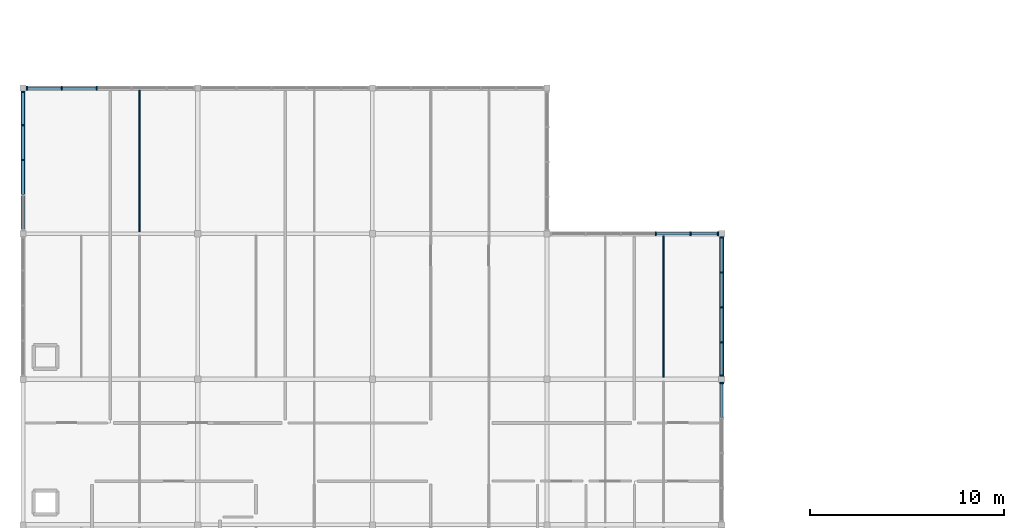
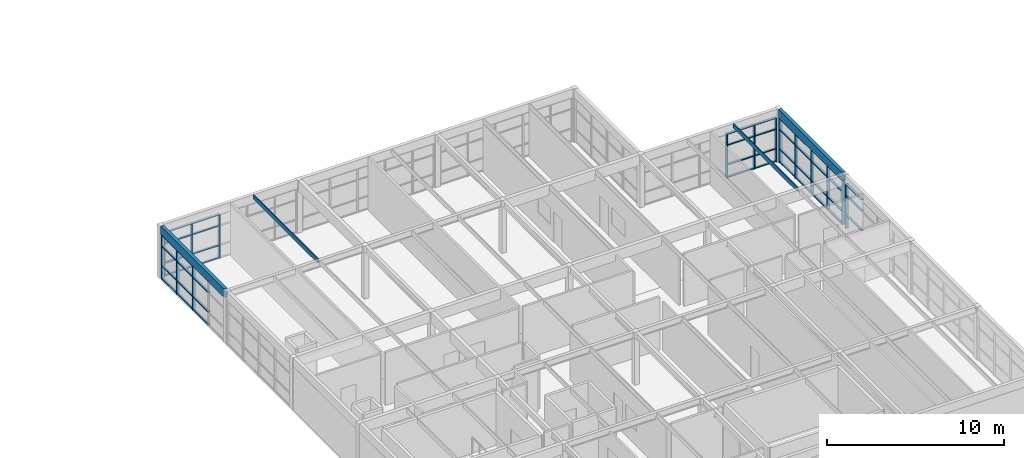
# One storey, part 6 of 24: 62 members, 4 beams, 5 elements without a shape of their own.
"""IFC4 building model written with IfcOpenShell, lengths in metres."""

from ifc_helpers import new_model, si_unit, direction, frame, origin, origin_2d, place, context, subcontext, project, spatial, rectangle, extrude, material, layer, layer_set, material_profile, profile_set, type_object, element, aggregate, save


model = new_model("IFC4")

# Units and contexts
model_context = context("Model", 3, precision=1e-05, world=origin(), true_north=direction((0.0, 1.0)))
body_context = subcontext(model_context, "Body", "Model", "MODEL_VIEW")
ifc_project = project(units=[si_unit("LENGTHUNIT", "METRE"), si_unit("AREAUNIT", "SQUARE_METRE"), si_unit("VOLUMEUNIT", "CUBIC_METRE"), si_unit("PLANEANGLEUNIT", "RADIAN"), si_unit("MASSUNIT", "GRAM", prefix="KILO")], contexts=[model_context])

# Site, building, storey
site_placement = place(None, origin())
site = spatial("IfcSite", under=ifc_project, at=site_placement, CompositionType="ELEMENT")
building_placement = place(site_placement, origin())
building = spatial("IfcBuilding", under=site, at=building_placement, Name="Marnridge Secondary College", CompositionType="ELEMENT")
storey_placement = place(building_placement, frame((0.0, 0.0, 16.10009765625)))
storey = spatial("IfcBuildingStorey", under=building, at=storey_placement, Name="L04", CompositionType="ELEMENT", Elevation=16.10009765625)

# Beams
ifc_material_1 = material(Name="Glulam timber GL18", Category="wood")
ifc_material_profile_1 = material_profile(ifc_material_1, rectangle(XDim=0.215087890625, YDim=0.5849609375, at=origin_2d()), Name="GL18 215x585")
ifc_profile_set_1 = profile_set([ifc_material_profile_1], Name="Glulam timber GL18")
beam_type_1 = type_object("IfcBeamType", Name="BM-GL585-EXT", PredefinedType="SPANDREL", material=ifc_profile_set_1)
for number, where, z_axis, x_axis, name in (
    (1, (36.0, 22.651611328125, 3.357421875), (0.0, 1.0, 0.0), (-1.0, 0.0, 0.0), "Beam BRF-L04-1422"),
    (2, (0.0, 30.151611328125, 3.357421875), (0.0, 1.0, 0.0), (-1.0, 0.0, 0.0), "Beam BRF-L04-1424"),
):
    element("IfcBeam", number, at=place(storey_placement, frame(where, z_axis=z_axis, x_axis=x_axis)), inside=storey, type_object=beam_type_1, Name=name, PredefinedType="SPANDREL", context=body_context, shape_type="SweptSolid", body=[
        extrude(rectangle(XDim=0.215087890625, YDim=0.5849609375, at=origin_2d()), origin(), (0.0, 0.0, 1.0), 7.19677734375),
    ])
ifc_material_2 = material(Name="Engineered timber LVL E13.2", Category="wood")
ifc_material_profile_2 = material_profile(ifc_material_2, rectangle(XDim=0.06298828125, YDim=0.300048828125, at=origin_2d()), Name="LVL 63x300")
ifc_profile_set_2 = profile_set([ifc_material_profile_2], Name="Engineered timber LVL E13.2")
beam_type_2 = type_object("IfcBeamType", Name="BM-LVL300-INT", PredefinedType="JOIST", material=ifc_profile_set_2)
beam_1_placement = place(storey_placement, frame((33.0, 22.614013671875, 3.5), z_axis=(0.0, 1.0, 0.0), x_axis=(-1.0, 0.0, 0.0)))
element("IfcBeam", 3, at=beam_1_placement, inside=storey, type_object=beam_type_2, Name="Beam BJ-L04-1455", PredefinedType="JOIST", context=body_context, shape_type="SweptSolid", body=[
    extrude(rectangle(XDim=0.06298828125, YDim=0.300048828125, at=origin_2d()), origin(), (0.0, 0.0, 1.0), 7.284423828125),
])
beam_2_placement = place(storey_placement, frame((6.0, 30.089111328125, 3.5), z_axis=(0.0, 1.0, 0.0), x_axis=(-1.0, 0.0, 0.0)))
element("IfcBeam", 4, at=beam_2_placement, inside=storey, type_object=beam_type_2, Name="Beam BJ-L04-1456", PredefinedType="JOIST", context=body_context, shape_type="SweptSolid", body=[
    extrude(rectangle(XDim=0.06298828125, YDim=0.300048828125, at=origin_2d()), origin(), (0.0, 0.0, 1.0), 7.309326171875),
])

# Curtain wall, members
ifc_material_3 = material(Name="Bronze-anodised aluminium and solar-control glazing", Category="aluminium")
ifc_layer = layer(ifc_material_3, 0.199951171875)
ifc_layer_set = layer_set([ifc_layer], Name="CW-MOD-1800")
curtain_wall_type = type_object("IfcCurtainWallType", Name="CW-MOD-1800", PredefinedType="NOTDEFINED", material=ifc_layer_set)
curtain_wall_1_placement = place(storey_placement, origin())
curtain_wall_1 = element("IfcCurtainWall", 5, at=curtain_wall_1_placement, inside=storey, type_object=curtain_wall_type, Name="Unitised curtain wall CW-L04-140", PredefinedType="NOTDEFINED")
ifc_material_4 = material(Name="Bronze-anodised aluminium 6063-T6", Category="aluminium")
ifc_material_profile_3 = material_profile(ifc_material_4, rectangle(XDim=0.070068359375, YDim=0.199951171875, at=origin_2d()), Name="ALU 70x200")
ifc_profile_set_3 = profile_set([ifc_material_profile_3], Name="Bronze-anodised aluminium 6063-T6")
member_type_1 = type_object("IfcMemberType", Name="CWM-ALU200", PredefinedType="MULLION", material=ifc_profile_set_3)
member_1_placement = place(storey_placement, frame((0.196533203125, 37.5, 0.0), z_axis=(0.0, 0.0, 1.0), x_axis=(1.0, 0.0, 0.0)))
member_1 = element("IfcMember", 6, at=member_1_placement, type_object=member_type_1, Name="CW-L04-140 mullion 1", PredefinedType="MULLION", context=body_context, shape_type="SweptSolid", body=[
    extrude(rectangle(XDim=0.070068359375, YDim=0.199951171875, at=origin_2d()), origin(), (0.0, 0.0, 1.0), 3.056884765625),
])
member_2_placement = place(storey_placement, frame((1.99658203125, 37.5, 0.0), z_axis=(0.0, 0.0, 1.0), x_axis=(1.0, 0.0, 0.0)))
member_2 = element("IfcMember", 7, at=member_2_placement, type_object=member_type_1, Name="CW-L04-140 mullion 2", PredefinedType="MULLION", context=body_context, shape_type="SweptSolid", body=[
    extrude(rectangle(XDim=0.070068359375, YDim=0.199951171875, at=origin_2d()), origin(), (0.0, 0.0, 1.0), 3.056884765625),
])
member_3_placement = place(storey_placement, frame((3.79638671875, 37.5, 0.0), z_axis=(0.0, 0.0, 1.0), x_axis=(1.0, 0.0, 0.0)))
member_3 = element("IfcMember", 8, at=member_3_placement, type_object=member_type_1, Name="CW-L04-140 mullion 3", PredefinedType="MULLION", context=body_context, shape_type="SweptSolid", body=[
    extrude(rectangle(XDim=0.070068359375, YDim=0.199951171875, at=origin_2d()), origin(), (0.0, 0.0, 1.0), 3.056884765625),
])

curtain_wall_2_placement = place(storey_placement, origin())
curtain_wall_2 = element("IfcCurtainWall", 9, at=curtain_wall_2_placement, inside=storey, type_object=curtain_wall_type, Name="Unitised curtain wall CW-L04-144", PredefinedType="NOTDEFINED")
member_4_placement = place(storey_placement, frame((32.596435546875, 30.0, 0.0), z_axis=(0.0, 0.0, 1.0), x_axis=(1.0, 0.0, 0.0)))
member_4 = element("IfcMember", 10, at=member_4_placement, type_object=member_type_1, Name="CW-L04-144 mullion 4", PredefinedType="MULLION", context=body_context, shape_type="SweptSolid", body=[
    extrude(rectangle(XDim=0.070068359375, YDim=0.199951171875, at=origin_2d()), origin(), (0.0, 0.0, 1.0), 3.056884765625),
])
member_5_placement = place(storey_placement, frame((34.396484375, 30.0, 0.0), z_axis=(0.0, 0.0, 1.0), x_axis=(1.0, 0.0, 0.0)))
member_5 = element("IfcMember", 11, at=member_5_placement, type_object=member_type_1, Name="CW-L04-144 mullion 5", PredefinedType="MULLION", context=body_context, shape_type="SweptSolid", body=[
    extrude(rectangle(XDim=0.070068359375, YDim=0.199951171875, at=origin_2d()), origin(), (0.0, 0.0, 1.0), 3.056884765625),
])
member_6_placement = place(storey_placement, frame((35.803466796875, 30.0, 0.0), z_axis=(0.0, 0.0, 1.0), x_axis=(1.0, 0.0, 0.0)))
member_6 = element("IfcMember", 12, at=member_6_placement, type_object=member_type_1, Name="CW-L04-144 mullion 6", PredefinedType="MULLION", context=body_context, shape_type="SweptSolid", body=[
    extrude(rectangle(XDim=0.070068359375, YDim=0.199951171875, at=origin_2d()), origin(), (0.0, 0.0, 1.0), 3.056884765625),
])

curtain_wall_3_placement = place(storey_placement, origin())
curtain_wall_3 = element("IfcCurtainWall", 13, at=curtain_wall_3_placement, inside=storey, type_object=curtain_wall_type, Name="Unitised curtain wall CW-L04-145", PredefinedType="NOTDEFINED")
member_7_placement = place(storey_placement, frame((36.0, 29.803466796875, 0.0), z_axis=(0.0, 0.0, 1.0), x_axis=(0.0, -1.0, 0.0)))
member_7 = element("IfcMember", 14, at=member_7_placement, type_object=member_type_1, Name="CW-L04-145 mullion 1", PredefinedType="MULLION", context=body_context, shape_type="SweptSolid", body=[
    extrude(rectangle(XDim=0.070068359375, YDim=0.199951171875, at=origin_2d()), origin(), (0.0, 0.0, 1.0), 3.056884765625),
])
member_8_placement = place(storey_placement, frame((36.0, 28.00341796875, 0.0), z_axis=(0.0, 0.0, 1.0), x_axis=(0.0, -1.0, 0.0)))
member_8 = element("IfcMember", 15, at=member_8_placement, type_object=member_type_1, Name="CW-L04-145 mullion 2", PredefinedType="MULLION", context=body_context, shape_type="SweptSolid", body=[
    extrude(rectangle(XDim=0.070068359375, YDim=0.199951171875, at=origin_2d()), origin(), (0.0, 0.0, 1.0), 3.056884765625),
])
member_9_placement = place(storey_placement, frame((36.0, 26.20361328125, 0.0), z_axis=(0.0, 0.0, 1.0), x_axis=(0.0, -1.0, 0.0)))
member_9 = element("IfcMember", 16, at=member_9_placement, type_object=member_type_1, Name="CW-L04-145 mullion 3", PredefinedType="MULLION", context=body_context, shape_type="SweptSolid", body=[
    extrude(rectangle(XDim=0.070068359375, YDim=0.199951171875, at=origin_2d()), origin(), (0.0, 0.0, 1.0), 3.056884765625),
])
member_10_placement = place(storey_placement, frame((36.0, 24.403564453125, 0.0), z_axis=(0.0, 0.0, 1.0), x_axis=(0.0, -1.0, 0.0)))
member_10 = element("IfcMember", 17, at=member_10_placement, type_object=member_type_1, Name="CW-L04-145 mullion 4", PredefinedType="MULLION", context=body_context, shape_type="SweptSolid", body=[
    extrude(rectangle(XDim=0.070068359375, YDim=0.199951171875, at=origin_2d()), origin(), (0.0, 0.0, 1.0), 3.056884765625),
])
member_11_placement = place(storey_placement, frame((36.0, 22.696533203125, 0.0), z_axis=(0.0, 0.0, 1.0), x_axis=(0.0, -1.0, 0.0)))
member_11 = element("IfcMember", 18, at=member_11_placement, type_object=member_type_1, Name="CW-L04-145 mullion 5", PredefinedType="MULLION", context=body_context, shape_type="SweptSolid", body=[
    extrude(rectangle(XDim=0.070068359375, YDim=0.199951171875, at=origin_2d()), origin(), (0.0, 0.0, 1.0), 3.056884765625),
])

# Curtain wall, member
curtain_wall_4_placement = place(storey_placement, origin())
curtain_wall_4 = element("IfcCurtainWall", 19, at=curtain_wall_4_placement, inside=storey, type_object=curtain_wall_type, Name="Unitised curtain wall CW-L04-146", PredefinedType="NOTDEFINED")
member_12_placement = place(storey_placement, frame((36.0, 22.303466796875, 0.0), z_axis=(0.0, 0.0, 1.0), x_axis=(0.0, -1.0, 0.0)))
member_12 = element("IfcMember", 20, at=member_12_placement, type_object=member_type_1, Name="CW-L04-146 mullion 1", PredefinedType="MULLION", context=body_context, shape_type="SweptSolid", body=[
    extrude(rectangle(XDim=0.070068359375, YDim=0.199951171875, at=origin_2d()), origin(), (0.0, 0.0, 1.0), 3.056884765625),
])

# Curtain wall, members
curtain_wall_5_placement = place(storey_placement, origin())
curtain_wall_5 = element("IfcCurtainWall", 21, at=curtain_wall_5_placement, inside=storey, type_object=curtain_wall_type, Name="Unitised curtain wall CW-L04-151", PredefinedType="NOTDEFINED")
member_13_placement = place(storey_placement, frame((0.0, 33.79638671875, 0.0), z_axis=(0.0, 0.0, 1.0), x_axis=(0.0, 1.0, 0.0)))
member_13 = element("IfcMember", 22, at=member_13_placement, type_object=member_type_1, Name="CW-L04-151 mullion 3", PredefinedType="MULLION", context=body_context, shape_type="SweptSolid", body=[
    extrude(rectangle(XDim=0.070068359375, YDim=0.199951171875, at=origin_2d()), origin(), (0.0, 0.0, 1.0), 3.056884765625),
])
member_14_placement = place(storey_placement, frame((0.0, 35.596435546875, 0.0), z_axis=(0.0, 0.0, 1.0), x_axis=(0.0, 1.0, 0.0)))
member_14 = element("IfcMember", 23, at=member_14_placement, type_object=member_type_1, Name="CW-L04-151 mullion 4", PredefinedType="MULLION", context=body_context, shape_type="SweptSolid", body=[
    extrude(rectangle(XDim=0.070068359375, YDim=0.199951171875, at=origin_2d()), origin(), (0.0, 0.0, 1.0), 3.056884765625),
])
member_15_placement = place(storey_placement, frame((0.0, 37.303466796875, 0.0), z_axis=(0.0, 0.0, 1.0), x_axis=(0.0, 1.0, 0.0)))
member_15 = element("IfcMember", 24, at=member_15_placement, type_object=member_type_1, Name="CW-L04-151 mullion 5", PredefinedType="MULLION", context=body_context, shape_type="SweptSolid", body=[
    extrude(rectangle(XDim=0.070068359375, YDim=0.199951171875, at=origin_2d()), origin(), (0.0, 0.0, 1.0), 3.056884765625),
])

# Member
ifc_material_5 = material(Name="Anodised aluminium 6063-T6", Category="aluminium")
ifc_material_profile_4 = material_profile(ifc_material_5, rectangle(XDim=0.06494140625, YDim=0.139892578125, at=origin_2d()), Name="ALU 65x140")
ifc_profile_set_4 = profile_set([ifc_material_profile_4], Name="Anodised aluminium 6063-T6")
member_type_2 = type_object("IfcMemberType", Name="CWT-ALU140", PredefinedType="USERDEFINED", material=ifc_profile_set_4)
member_16_placement = place(storey_placement, frame((0.2314453125, 37.5, 0.032470703125), z_axis=(1.0, 0.0, 0.0), x_axis=(0.0, 0.0, 1.0)))
member_16 = element("IfcMember", 25, at=member_16_placement, type_object=member_type_2, Name="CW-L04-140 transom 1.1", ObjectType="TRANSOM", PredefinedType="USERDEFINED", context=body_context, shape_type="SweptSolid", body=[
    extrude(rectangle(XDim=0.06494140625, YDim=0.139892578125, at=origin_2d()), origin(), (0.0, 0.0, 1.0), 1.72998046875),
])

member_17_placement = place(storey_placement, frame((0.2314453125, 37.5, 0.89990234375), z_axis=(1.0, 0.0, 0.0), x_axis=(0.0, 0.0, 1.0)))
member_17 = element("IfcMember", 26, at=member_17_placement, type_object=member_type_2, Name="CW-L04-140 transom 1.2", ObjectType="TRANSOM", PredefinedType="USERDEFINED", context=body_context, shape_type="SweptSolid", body=[
    extrude(rectangle(XDim=0.06494140625, YDim=0.139892578125, at=origin_2d()), origin(), (0.0, 0.0, 1.0), 1.72998046875),
])

member_18_placement = place(storey_placement, frame((0.2314453125, 37.5, 2.25), z_axis=(1.0, 0.0, 0.0), x_axis=(0.0, 0.0, 1.0)))
member_18 = element("IfcMember", 27, at=member_18_placement, type_object=member_type_2, Name="CW-L04-140 transom 1.3", ObjectType="TRANSOM", PredefinedType="USERDEFINED", context=body_context, shape_type="SweptSolid", body=[
    extrude(rectangle(XDim=0.06494140625, YDim=0.139892578125, at=origin_2d()), origin(), (0.0, 0.0, 1.0), 1.72998046875),
])

member_19_placement = place(storey_placement, frame((0.2314453125, 37.5, 3.0244140625), z_axis=(1.0, 0.0, 0.0), x_axis=(0.0, 0.0, 1.0)))
member_19 = element("IfcMember", 28, at=member_19_placement, type_object=member_type_2, Name="CW-L04-140 transom 1.4", ObjectType="TRANSOM", PredefinedType="USERDEFINED", context=body_context, shape_type="SweptSolid", body=[
    extrude(rectangle(XDim=0.06494140625, YDim=0.139892578125, at=origin_2d()), origin(), (0.0, 0.0, 1.0), 1.72998046875),
])

member_20_placement = place(storey_placement, frame((2.031494140625, 37.5, 0.032470703125), z_axis=(1.0, 0.0, 0.0), x_axis=(0.0, 0.0, 1.0)))
member_20 = element("IfcMember", 29, at=member_20_placement, type_object=member_type_2, Name="CW-L04-140 transom 2.1", ObjectType="TRANSOM", PredefinedType="USERDEFINED", context=body_context, shape_type="SweptSolid", body=[
    extrude(rectangle(XDim=0.06494140625, YDim=0.139892578125, at=origin_2d()), origin(), (0.0, 0.0, 1.0), 1.72998046875),
])

member_21_placement = place(storey_placement, frame((2.031494140625, 37.5, 0.89990234375), z_axis=(1.0, 0.0, 0.0), x_axis=(0.0, 0.0, 1.0)))
member_21 = element("IfcMember", 30, at=member_21_placement, type_object=member_type_2, Name="CW-L04-140 transom 2.2", ObjectType="TRANSOM", PredefinedType="USERDEFINED", context=body_context, shape_type="SweptSolid", body=[
    extrude(rectangle(XDim=0.06494140625, YDim=0.139892578125, at=origin_2d()), origin(), (0.0, 0.0, 1.0), 1.72998046875),
])

member_22_placement = place(storey_placement, frame((2.031494140625, 37.5, 2.25), z_axis=(1.0, 0.0, 0.0), x_axis=(0.0, 0.0, 1.0)))
member_22 = element("IfcMember", 31, at=member_22_placement, type_object=member_type_2, Name="CW-L04-140 transom 2.3", ObjectType="TRANSOM", PredefinedType="USERDEFINED", context=body_context, shape_type="SweptSolid", body=[
    extrude(rectangle(XDim=0.06494140625, YDim=0.139892578125, at=origin_2d()), origin(), (0.0, 0.0, 1.0), 1.72998046875),
])

member_23_placement = place(storey_placement, frame((2.031494140625, 37.5, 3.0244140625), z_axis=(1.0, 0.0, 0.0), x_axis=(0.0, 0.0, 1.0)))
member_23 = element("IfcMember", 32, at=member_23_placement, type_object=member_type_2, Name="CW-L04-140 transom 2.4", ObjectType="TRANSOM", PredefinedType="USERDEFINED", context=body_context, shape_type="SweptSolid", body=[
    extrude(rectangle(XDim=0.06494140625, YDim=0.139892578125, at=origin_2d()), origin(), (0.0, 0.0, 1.0), 1.72998046875),
])

aggregate(curtain_wall_1, [member_1, member_2, member_3, member_16, member_17, member_18, member_19, member_20, member_21, member_22, member_23])

member_24_placement = place(storey_placement, frame((32.631591796875, 30.0, 0.032470703125), z_axis=(1.0, 0.0, 0.0), x_axis=(0.0, 0.0, 1.0)))
member_24 = element("IfcMember", 33, at=member_24_placement, type_object=member_type_2, Name="CW-L04-144 transom 4.1", ObjectType="TRANSOM", PredefinedType="USERDEFINED", context=body_context, shape_type="SweptSolid", body=[
    extrude(rectangle(XDim=0.06494140625, YDim=0.139892578125, at=origin_2d()), origin(), (0.0, 0.0, 1.0), 1.72998046875),
])

member_25_placement = place(storey_placement, frame((32.631591796875, 30.0, 0.89990234375), z_axis=(1.0, 0.0, 0.0), x_axis=(0.0, 0.0, 1.0)))
member_25 = element("IfcMember", 34, at=member_25_placement, type_object=member_type_2, Name="CW-L04-144 transom 4.2", ObjectType="TRANSOM", PredefinedType="USERDEFINED", context=body_context, shape_type="SweptSolid", body=[
    extrude(rectangle(XDim=0.06494140625, YDim=0.139892578125, at=origin_2d()), origin(), (0.0, 0.0, 1.0), 1.72998046875),
])

member_26_placement = place(storey_placement, frame((32.631591796875, 30.0, 2.25), z_axis=(1.0, 0.0, 0.0), x_axis=(0.0, 0.0, 1.0)))
member_26 = element("IfcMember", 35, at=member_26_placement, type_object=member_type_2, Name="CW-L04-144 transom 4.3", ObjectType="TRANSOM", PredefinedType="USERDEFINED", context=body_context, shape_type="SweptSolid", body=[
    extrude(rectangle(XDim=0.06494140625, YDim=0.139892578125, at=origin_2d()), origin(), (0.0, 0.0, 1.0), 1.72998046875),
])

member_27_placement = place(storey_placement, frame((32.631591796875, 30.0, 3.0244140625), z_axis=(1.0, 0.0, 0.0), x_axis=(0.0, 0.0, 1.0)))
member_27 = element("IfcMember", 36, at=member_27_placement, type_object=member_type_2, Name="CW-L04-144 transom 4.4", ObjectType="TRANSOM", PredefinedType="USERDEFINED", context=body_context, shape_type="SweptSolid", body=[
    extrude(rectangle(XDim=0.06494140625, YDim=0.139892578125, at=origin_2d()), origin(), (0.0, 0.0, 1.0), 1.72998046875),
])

member_28_placement = place(storey_placement, frame((34.431396484375, 30.0, 0.032470703125), z_axis=(1.0, 0.0, 0.0), x_axis=(0.0, 0.0, 1.0)))
member_28 = element("IfcMember", 37, at=member_28_placement, type_object=member_type_2, Name="CW-L04-144 transom 5.1", ObjectType="TRANSOM", PredefinedType="USERDEFINED", context=body_context, shape_type="SweptSolid", body=[
    extrude(rectangle(XDim=0.06494140625, YDim=0.139892578125, at=origin_2d()), origin(), (0.0, 0.0, 1.0), 1.337158203125),
])

member_29_placement = place(storey_placement, frame((34.431396484375, 30.0, 0.89990234375), z_axis=(1.0, 0.0, 0.0), x_axis=(0.0, 0.0, 1.0)))
member_29 = element("IfcMember", 38, at=member_29_placement, type_object=member_type_2, Name="CW-L04-144 transom 5.2", ObjectType="TRANSOM", PredefinedType="USERDEFINED", context=body_context, shape_type="SweptSolid", body=[
    extrude(rectangle(XDim=0.06494140625, YDim=0.139892578125, at=origin_2d()), origin(), (0.0, 0.0, 1.0), 1.337158203125),
])

member_30_placement = place(storey_placement, frame((34.431396484375, 30.0, 2.25), z_axis=(1.0, 0.0, 0.0), x_axis=(0.0, 0.0, 1.0)))
member_30 = element("IfcMember", 39, at=member_30_placement, type_object=member_type_2, Name="CW-L04-144 transom 5.3", ObjectType="TRANSOM", PredefinedType="USERDEFINED", context=body_context, shape_type="SweptSolid", body=[
    extrude(rectangle(XDim=0.06494140625, YDim=0.139892578125, at=origin_2d()), origin(), (0.0, 0.0, 1.0), 1.337158203125),
])

member_31_placement = place(storey_placement, frame((34.431396484375, 30.0, 3.0244140625), z_axis=(1.0, 0.0, 0.0), x_axis=(0.0, 0.0, 1.0)))
member_31 = element("IfcMember", 40, at=member_31_placement, type_object=member_type_2, Name="CW-L04-144 transom 5.4", ObjectType="TRANSOM", PredefinedType="USERDEFINED", context=body_context, shape_type="SweptSolid", body=[
    extrude(rectangle(XDim=0.06494140625, YDim=0.139892578125, at=origin_2d()), origin(), (0.0, 0.0, 1.0), 1.337158203125),
])

aggregate(curtain_wall_2, [member_4, member_5, member_6, member_24, member_25, member_26, member_27, member_28, member_29, member_30, member_31])

member_32_placement = place(storey_placement, frame((36.0, 29.7685546875, 0.032470703125), z_axis=(0.0, -1.0, 0.0), x_axis=(0.0, 0.0, 1.0)))
member_32 = element("IfcMember", 41, at=member_32_placement, type_object=member_type_2, Name="CW-L04-145 transom 1.1", ObjectType="TRANSOM", PredefinedType="USERDEFINED", context=body_context, shape_type="SweptSolid", body=[
    extrude(rectangle(XDim=0.06494140625, YDim=0.139892578125, at=origin_2d()), origin(), (0.0, 0.0, 1.0), 1.72998046875),
])

member_33_placement = place(storey_placement, frame((36.0, 29.7685546875, 0.89990234375), z_axis=(0.0, -1.0, 0.0), x_axis=(0.0, 0.0, 1.0)))
member_33 = element("IfcMember", 42, at=member_33_placement, type_object=member_type_2, Name="CW-L04-145 transom 1.2", ObjectType="TRANSOM", PredefinedType="USERDEFINED", context=body_context, shape_type="SweptSolid", body=[
    extrude(rectangle(XDim=0.06494140625, YDim=0.139892578125, at=origin_2d()), origin(), (0.0, 0.0, 1.0), 1.72998046875),
])

member_34_placement = place(storey_placement, frame((36.0, 29.7685546875, 2.25), z_axis=(0.0, -1.0, 0.0), x_axis=(0.0, 0.0, 1.0)))
member_34 = element("IfcMember", 43, at=member_34_placement, type_object=member_type_2, Name="CW-L04-145 transom 1.3", ObjectType="TRANSOM", PredefinedType="USERDEFINED", context=body_context, shape_type="SweptSolid", body=[
    extrude(rectangle(XDim=0.06494140625, YDim=0.139892578125, at=origin_2d()), origin(), (0.0, 0.0, 1.0), 1.72998046875),
])

member_35_placement = place(storey_placement, frame((36.0, 29.7685546875, 3.0244140625), z_axis=(0.0, -1.0, 0.0), x_axis=(0.0, 0.0, 1.0)))
member_35 = element("IfcMember", 44, at=member_35_placement, type_object=member_type_2, Name="CW-L04-145 transom 1.4", ObjectType="TRANSOM", PredefinedType="USERDEFINED", context=body_context, shape_type="SweptSolid", body=[
    extrude(rectangle(XDim=0.06494140625, YDim=0.139892578125, at=origin_2d()), origin(), (0.0, 0.0, 1.0), 1.72998046875),
])

member_36_placement = place(storey_placement, frame((36.0, 27.968505859375, 0.032470703125), z_axis=(0.0, -1.0, 0.0), x_axis=(0.0, 0.0, 1.0)))
member_36 = element("IfcMember", 45, at=member_36_placement, type_object=member_type_2, Name="CW-L04-145 transom 2.1", ObjectType="TRANSOM", PredefinedType="USERDEFINED", context=body_context, shape_type="SweptSolid", body=[
    extrude(rectangle(XDim=0.06494140625, YDim=0.139892578125, at=origin_2d()), origin(), (0.0, 0.0, 1.0), 1.72998046875),
])

member_37_placement = place(storey_placement, frame((36.0, 27.968505859375, 0.89990234375), z_axis=(0.0, -1.0, 0.0), x_axis=(0.0, 0.0, 1.0)))
member_37 = element("IfcMember", 46, at=member_37_placement, type_object=member_type_2, Name="CW-L04-145 transom 2.2", ObjectType="TRANSOM", PredefinedType="USERDEFINED", context=body_context, shape_type="SweptSolid", body=[
    extrude(rectangle(XDim=0.06494140625, YDim=0.139892578125, at=origin_2d()), origin(), (0.0, 0.0, 1.0), 1.72998046875),
])

member_38_placement = place(storey_placement, frame((36.0, 27.968505859375, 2.25), z_axis=(0.0, -1.0, 0.0), x_axis=(0.0, 0.0, 1.0)))
member_38 = element("IfcMember", 47, at=member_38_placement, type_object=member_type_2, Name="CW-L04-145 transom 2.3", ObjectType="TRANSOM", PredefinedType="USERDEFINED", context=body_context, shape_type="SweptSolid", body=[
    extrude(rectangle(XDim=0.06494140625, YDim=0.139892578125, at=origin_2d()), origin(), (0.0, 0.0, 1.0), 1.72998046875),
])

member_39_placement = place(storey_placement, frame((36.0, 27.968505859375, 3.0244140625), z_axis=(0.0, -1.0, 0.0), x_axis=(0.0, 0.0, 1.0)))
member_39 = element("IfcMember", 48, at=member_39_placement, type_object=member_type_2, Name="CW-L04-145 transom 2.4", ObjectType="TRANSOM", PredefinedType="USERDEFINED", context=body_context, shape_type="SweptSolid", body=[
    extrude(rectangle(XDim=0.06494140625, YDim=0.139892578125, at=origin_2d()), origin(), (0.0, 0.0, 1.0), 1.72998046875),
])

member_40_placement = place(storey_placement, frame((36.0, 26.16845703125, 0.032470703125), z_axis=(0.0, -1.0, 0.0), x_axis=(0.0, 0.0, 1.0)))
member_40 = element("IfcMember", 49, at=member_40_placement, type_object=member_type_2, Name="CW-L04-145 transom 3.1", ObjectType="TRANSOM", PredefinedType="USERDEFINED", context=body_context, shape_type="SweptSolid", body=[
    extrude(rectangle(XDim=0.06494140625, YDim=0.139892578125, at=origin_2d()), origin(), (0.0, 0.0, 1.0), 1.72998046875),
])

member_41_placement = place(storey_placement, frame((36.0, 26.16845703125, 0.89990234375), z_axis=(0.0, -1.0, 0.0), x_axis=(0.0, 0.0, 1.0)))
member_41 = element("IfcMember", 50, at=member_41_placement, type_object=member_type_2, Name="CW-L04-145 transom 3.2", ObjectType="TRANSOM", PredefinedType="USERDEFINED", context=body_context, shape_type="SweptSolid", body=[
    extrude(rectangle(XDim=0.06494140625, YDim=0.139892578125, at=origin_2d()), origin(), (0.0, 0.0, 1.0), 1.72998046875),
])

member_42_placement = place(storey_placement, frame((36.0, 26.16845703125, 2.25), z_axis=(0.0, -1.0, 0.0), x_axis=(0.0, 0.0, 1.0)))
member_42 = element("IfcMember", 51, at=member_42_placement, type_object=member_type_2, Name="CW-L04-145 transom 3.3", ObjectType="TRANSOM", PredefinedType="USERDEFINED", context=body_context, shape_type="SweptSolid", body=[
    extrude(rectangle(XDim=0.06494140625, YDim=0.139892578125, at=origin_2d()), origin(), (0.0, 0.0, 1.0), 1.72998046875),
])

member_43_placement = place(storey_placement, frame((36.0, 26.16845703125, 3.0244140625), z_axis=(0.0, -1.0, 0.0), x_axis=(0.0, 0.0, 1.0)))
member_43 = element("IfcMember", 52, at=member_43_placement, type_object=member_type_2, Name="CW-L04-145 transom 3.4", ObjectType="TRANSOM", PredefinedType="USERDEFINED", context=body_context, shape_type="SweptSolid", body=[
    extrude(rectangle(XDim=0.06494140625, YDim=0.139892578125, at=origin_2d()), origin(), (0.0, 0.0, 1.0), 1.72998046875),
])

member_44_placement = place(storey_placement, frame((36.0, 24.368408203125, 0.032470703125), z_axis=(0.0, -1.0, 0.0), x_axis=(0.0, 0.0, 1.0)))
member_44 = element("IfcMember", 53, at=member_44_placement, type_object=member_type_2, Name="CW-L04-145 transom 4.1", ObjectType="TRANSOM", PredefinedType="USERDEFINED", context=body_context, shape_type="SweptSolid", body=[
    extrude(rectangle(XDim=0.06494140625, YDim=0.139892578125, at=origin_2d()), origin(), (0.0, 0.0, 1.0), 1.636962890625),
])

member_45_placement = place(storey_placement, frame((36.0, 24.368408203125, 0.89990234375), z_axis=(0.0, -1.0, 0.0), x_axis=(0.0, 0.0, 1.0)))
member_45 = element("IfcMember", 54, at=member_45_placement, type_object=member_type_2, Name="CW-L04-145 transom 4.2", ObjectType="TRANSOM", PredefinedType="USERDEFINED", context=body_context, shape_type="SweptSolid", body=[
    extrude(rectangle(XDim=0.06494140625, YDim=0.139892578125, at=origin_2d()), origin(), (0.0, 0.0, 1.0), 1.636962890625),
])

member_46_placement = place(storey_placement, frame((36.0, 24.368408203125, 2.25), z_axis=(0.0, -1.0, 0.0), x_axis=(0.0, 0.0, 1.0)))
member_46 = element("IfcMember", 55, at=member_46_placement, type_object=member_type_2, Name="CW-L04-145 transom 4.3", ObjectType="TRANSOM", PredefinedType="USERDEFINED", context=body_context, shape_type="SweptSolid", body=[
    extrude(rectangle(XDim=0.06494140625, YDim=0.139892578125, at=origin_2d()), origin(), (0.0, 0.0, 1.0), 1.636962890625),
])

member_47_placement = place(storey_placement, frame((36.0, 24.368408203125, 3.0244140625), z_axis=(0.0, -1.0, 0.0), x_axis=(0.0, 0.0, 1.0)))
member_47 = element("IfcMember", 56, at=member_47_placement, type_object=member_type_2, Name="CW-L04-145 transom 4.4", ObjectType="TRANSOM", PredefinedType="USERDEFINED", context=body_context, shape_type="SweptSolid", body=[
    extrude(rectangle(XDim=0.06494140625, YDim=0.139892578125, at=origin_2d()), origin(), (0.0, 0.0, 1.0), 1.636962890625),
])

aggregate(curtain_wall_3, [member_7, member_8, member_9, member_10, member_11, member_32, member_33, member_34, member_35, member_36, member_37, member_38, member_39, member_40, member_41, member_42, member_43, member_44, member_45, member_46, member_47])

member_48_placement = place(storey_placement, frame((36.0, 22.2685546875, 0.89990234375), z_axis=(0.0, -1.0, 0.0), x_axis=(0.0, 0.0, 1.0)))
member_48 = element("IfcMember", 57, at=member_48_placement, type_object=member_type_2, Name="CW-L04-146 transom 1.2", ObjectType="TRANSOM", PredefinedType="USERDEFINED", context=body_context, shape_type="SweptSolid", body=[
    extrude(rectangle(XDim=0.06494140625, YDim=0.139892578125, at=origin_2d()), origin(), (0.0, 0.0, 1.0), 1.72998046875),
])

member_49_placement = place(storey_placement, frame((36.0, 22.2685546875, 2.25), z_axis=(0.0, -1.0, 0.0), x_axis=(0.0, 0.0, 1.0)))
member_49 = element("IfcMember", 58, at=member_49_placement, type_object=member_type_2, Name="CW-L04-146 transom 1.3", ObjectType="TRANSOM", PredefinedType="USERDEFINED", context=body_context, shape_type="SweptSolid", body=[
    extrude(rectangle(XDim=0.06494140625, YDim=0.139892578125, at=origin_2d()), origin(), (0.0, 0.0, 1.0), 1.72998046875),
])

member_50_placement = place(storey_placement, frame((36.0, 22.2685546875, 3.0244140625), z_axis=(0.0, -1.0, 0.0), x_axis=(0.0, 0.0, 1.0)))
member_50 = element("IfcMember", 59, at=member_50_placement, type_object=member_type_2, Name="CW-L04-146 transom 1.4", ObjectType="TRANSOM", PredefinedType="USERDEFINED", context=body_context, shape_type="SweptSolid", body=[
    extrude(rectangle(XDim=0.06494140625, YDim=0.139892578125, at=origin_2d()), origin(), (0.0, 0.0, 1.0), 1.72998046875),
])

aggregate(curtain_wall_4, [member_12, member_48, member_49, member_50])

member_51_placement = place(storey_placement, frame((0.0, 32.031494140625, 0.032470703125), z_axis=(0.0, 1.0, 0.0), x_axis=(0.0, 0.0, 1.0)))
member_51 = element("IfcMember", 60, at=member_51_placement, type_object=member_type_2, Name="CW-L04-151 transom 2.1", ObjectType="TRANSOM", PredefinedType="USERDEFINED", context=body_context, shape_type="SweptSolid", body=[
    extrude(rectangle(XDim=0.06494140625, YDim=0.139892578125, at=origin_2d()), origin(), (0.0, 0.0, 1.0), 1.72998046875),
])

member_52_placement = place(storey_placement, frame((0.0, 32.031494140625, 0.89990234375), z_axis=(0.0, 1.0, 0.0), x_axis=(0.0, 0.0, 1.0)))
member_52 = element("IfcMember", 61, at=member_52_placement, type_object=member_type_2, Name="CW-L04-151 transom 2.2", ObjectType="TRANSOM", PredefinedType="USERDEFINED", context=body_context, shape_type="SweptSolid", body=[
    extrude(rectangle(XDim=0.06494140625, YDim=0.139892578125, at=origin_2d()), origin(), (0.0, 0.0, 1.0), 1.72998046875),
])

member_53_placement = place(storey_placement, frame((0.0, 32.031494140625, 2.25), z_axis=(0.0, 1.0, 0.0), x_axis=(0.0, 0.0, 1.0)))
member_53 = element("IfcMember", 62, at=member_53_placement, type_object=member_type_2, Name="CW-L04-151 transom 2.3", ObjectType="TRANSOM", PredefinedType="USERDEFINED", context=body_context, shape_type="SweptSolid", body=[
    extrude(rectangle(XDim=0.06494140625, YDim=0.139892578125, at=origin_2d()), origin(), (0.0, 0.0, 1.0), 1.72998046875),
])

member_54_placement = place(storey_placement, frame((0.0, 32.031494140625, 3.0244140625), z_axis=(0.0, 1.0, 0.0), x_axis=(0.0, 0.0, 1.0)))
member_54 = element("IfcMember", 63, at=member_54_placement, type_object=member_type_2, Name="CW-L04-151 transom 2.4", ObjectType="TRANSOM", PredefinedType="USERDEFINED", context=body_context, shape_type="SweptSolid", body=[
    extrude(rectangle(XDim=0.06494140625, YDim=0.139892578125, at=origin_2d()), origin(), (0.0, 0.0, 1.0), 1.72998046875),
])

member_55_placement = place(storey_placement, frame((0.0, 33.83154296875, 0.032470703125), z_axis=(0.0, 1.0, 0.0), x_axis=(0.0, 0.0, 1.0)))
member_55 = element("IfcMember", 64, at=member_55_placement, type_object=member_type_2, Name="CW-L04-151 transom 3.1", ObjectType="TRANSOM", PredefinedType="USERDEFINED", context=body_context, shape_type="SweptSolid", body=[
    extrude(rectangle(XDim=0.06494140625, YDim=0.139892578125, at=origin_2d()), origin(), (0.0, 0.0, 1.0), 1.72998046875),
])

member_56_placement = place(storey_placement, frame((0.0, 33.83154296875, 0.89990234375), z_axis=(0.0, 1.0, 0.0), x_axis=(0.0, 0.0, 1.0)))
member_56 = element("IfcMember", 65, at=member_56_placement, type_object=member_type_2, Name="CW-L04-151 transom 3.2", ObjectType="TRANSOM", PredefinedType="USERDEFINED", context=body_context, shape_type="SweptSolid", body=[
    extrude(rectangle(XDim=0.06494140625, YDim=0.139892578125, at=origin_2d()), origin(), (0.0, 0.0, 1.0), 1.72998046875),
])

member_57_placement = place(storey_placement, frame((0.0, 33.83154296875, 2.25), z_axis=(0.0, 1.0, 0.0), x_axis=(0.0, 0.0, 1.0)))
member_57 = element("IfcMember", 66, at=member_57_placement, type_object=member_type_2, Name="CW-L04-151 transom 3.3", ObjectType="TRANSOM", PredefinedType="USERDEFINED", context=body_context, shape_type="SweptSolid", body=[
    extrude(rectangle(XDim=0.06494140625, YDim=0.139892578125, at=origin_2d()), origin(), (0.0, 0.0, 1.0), 1.72998046875),
])

member_58_placement = place(storey_placement, frame((0.0, 33.83154296875, 3.0244140625), z_axis=(0.0, 1.0, 0.0), x_axis=(0.0, 0.0, 1.0)))
member_58 = element("IfcMember", 67, at=member_58_placement, type_object=member_type_2, Name="CW-L04-151 transom 3.4", ObjectType="TRANSOM", PredefinedType="USERDEFINED", context=body_context, shape_type="SweptSolid", body=[
    extrude(rectangle(XDim=0.06494140625, YDim=0.139892578125, at=origin_2d()), origin(), (0.0, 0.0, 1.0), 1.72998046875),
])

member_59_placement = place(storey_placement, frame((0.0, 35.631591796875, 0.032470703125), z_axis=(0.0, 1.0, 0.0), x_axis=(0.0, 0.0, 1.0)))
member_59 = element("IfcMember", 68, at=member_59_placement, type_object=member_type_2, Name="CW-L04-151 transom 4.1", ObjectType="TRANSOM", PredefinedType="USERDEFINED", context=body_context, shape_type="SweptSolid", body=[
    extrude(rectangle(XDim=0.06494140625, YDim=0.139892578125, at=origin_2d()), origin(), (0.0, 0.0, 1.0), 1.636962890625),
])

member_60_placement = place(storey_placement, frame((0.0, 35.631591796875, 0.89990234375), z_axis=(0.0, 1.0, 0.0), x_axis=(0.0, 0.0, 1.0)))
member_60 = element("IfcMember", 69, at=member_60_placement, type_object=member_type_2, Name="CW-L04-151 transom 4.2", ObjectType="TRANSOM", PredefinedType="USERDEFINED", context=body_context, shape_type="SweptSolid", body=[
    extrude(rectangle(XDim=0.06494140625, YDim=0.139892578125, at=origin_2d()), origin(), (0.0, 0.0, 1.0), 1.636962890625),
])

member_61_placement = place(storey_placement, frame((0.0, 35.631591796875, 2.25), z_axis=(0.0, 1.0, 0.0), x_axis=(0.0, 0.0, 1.0)))
member_61 = element("IfcMember", 70, at=member_61_placement, type_object=member_type_2, Name="CW-L04-151 transom 4.3", ObjectType="TRANSOM", PredefinedType="USERDEFINED", context=body_context, shape_type="SweptSolid", body=[
    extrude(rectangle(XDim=0.06494140625, YDim=0.139892578125, at=origin_2d()), origin(), (0.0, 0.0, 1.0), 1.636962890625),
])

member_62_placement = place(storey_placement, frame((0.0, 35.631591796875, 3.0244140625), z_axis=(0.0, 1.0, 0.0), x_axis=(0.0, 0.0, 1.0)))
member_62 = element("IfcMember", 71, at=member_62_placement, type_object=member_type_2, Name="CW-L04-151 transom 4.4", ObjectType="TRANSOM", PredefinedType="USERDEFINED", context=body_context, shape_type="SweptSolid", body=[
    extrude(rectangle(XDim=0.06494140625, YDim=0.139892578125, at=origin_2d()), origin(), (0.0, 0.0, 1.0), 1.636962890625),
])

aggregate(curtain_wall_5, [member_13, member_14, member_15, member_51, member_52, member_53, member_54, member_55, member_56, member_57, member_58, member_59, member_60, member_61, member_62])

save(model, "model.ifc")
